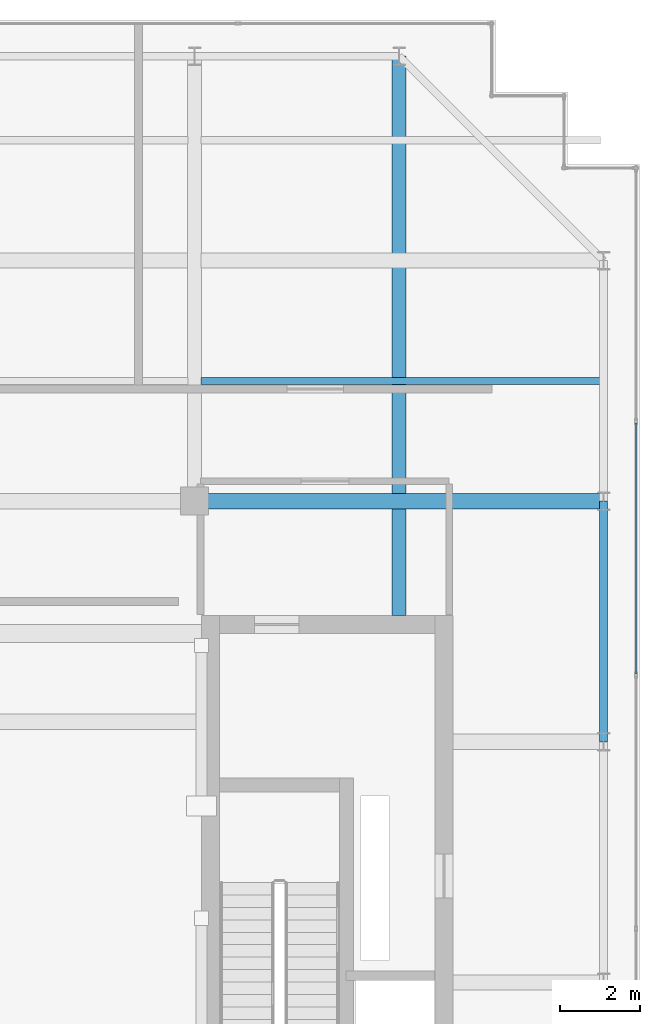
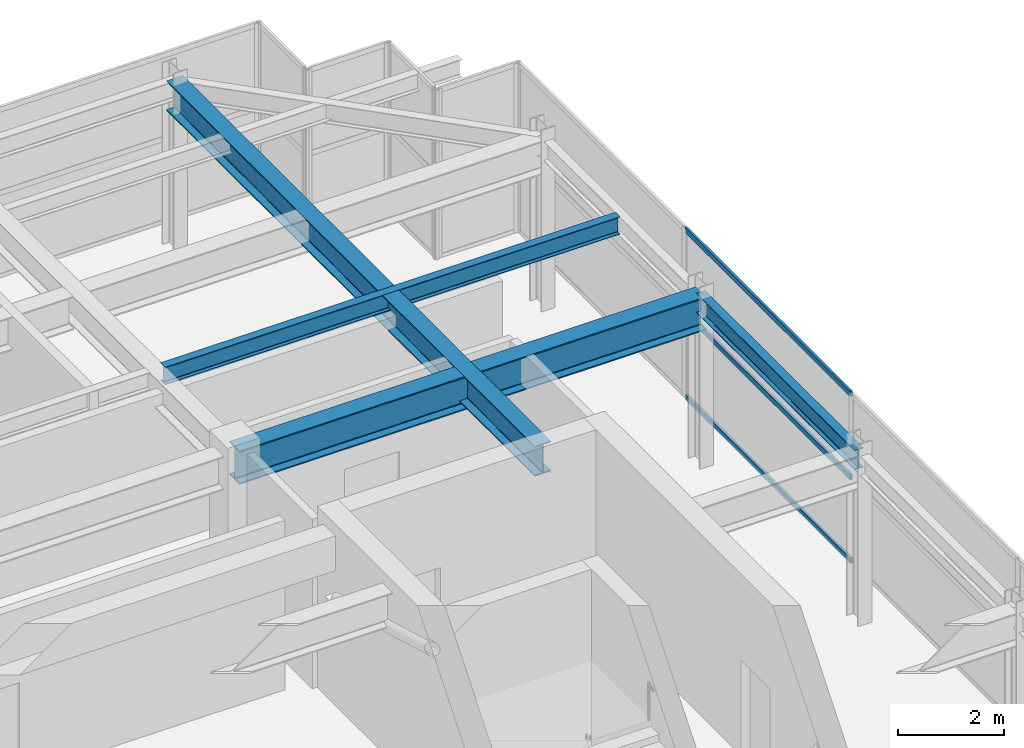
# One storey, part 18 of 32: 4 beams, 3 members, 1 element without a shape of its own.
"""IFC4 building model written with IfcOpenShell, lengths in metres."""

from ifc_helpers import new_model, si_unit, direction, frame, origin, origin_2d, place, context, subcontext, project, spatial, hollow_rectangle, i_section, extrude, source, transform, mapped, material, layer, layer_set, material_profile, profile_set, type_object, element, aggregate, save


model = new_model("IFC4")

# Units and contexts
model_context = context("Model", 3, precision=1e-05, world=origin(), true_north=direction((0.0, 1.0)))
body_context = subcontext(model_context, "Body", "Model", "MODEL_VIEW")
ifc_project = project(units=[si_unit("LENGTHUNIT", "METRE"), si_unit("AREAUNIT", "SQUARE_METRE"), si_unit("VOLUMEUNIT", "CUBIC_METRE"), si_unit("PLANEANGLEUNIT", "RADIAN"), si_unit("MASSUNIT", "GRAM", prefix="KILO")], contexts=[model_context])

# Site, building, storey
site_placement = place(None, origin())
site = spatial("IfcSite", under=ifc_project, at=site_placement, CompositionType="ELEMENT")
building_placement = place(site_placement, origin())
building = spatial("IfcBuilding", under=site, at=building_placement, Name="Khoralis Quay Care Tower", CompositionType="ELEMENT")
storey_placement = place(building_placement, frame((0.0, 0.0, 306.300048828125)))
storey = spatial("IfcBuildingStorey", under=building, at=storey_placement, Name="L80", CompositionType="ELEMENT", Elevation=306.300048828125)

# Beams
ifc_material_1 = material(Name="Steel S355", Category="steel")
ifc_material_profile_1 = material_profile(ifc_material_1, i_section(OverallWidth=0.18994140625, OverallDepth=0.449951171875, WebThickness=0.009521484375, FlangeThickness=0.0146484375, FilletRadius=0.02099609375, at=origin_2d()), Name="Steel S355")
ifc_profile_set_1 = profile_set([ifc_material_profile_1], Name="Steel S355")
beam_type_1 = type_object("IfcBeamType", Name="BM-IPE450", PredefinedType="SPANDREL", material=ifc_profile_set_1)
shared_shape_1 = source(origin(), body_context, "Body", "SweptSolid", [
    extrude(i_section(OverallWidth=0.18994140625, OverallDepth=0.449951171875, WebThickness=0.009521484375, FlangeThickness=0.0146484375, FilletRadius=0.02099609375, at=origin_2d()), origin(), (0.0, 0.0, 1.0), 6.0),
])
beam_1_placement = place(storey_placement, frame((41.10009765625, 24.0, 3.695068359375), z_axis=(0.0, 1.0, 0.0), x_axis=(-1.0, 0.0, 0.0)))
element("IfcBeam", 1, at=beam_1_placement, inside=storey, type_object=beam_type_1, Name="BM-TSP-L80-15", PredefinedType="SPANDREL", context=body_context, shape_type="MappedRepresentation", body=[
    mapped(shared_shape_1, transform((0.0, 0.0, 0.0), scale=1.0)),
])
ifc_material_profile_2 = material_profile(ifc_material_1, i_section(OverallWidth=0.381103515625, OverallDepth=0.77294921875, WebThickness=0.0166015625, FlangeThickness=0.027587890625, FilletRadius=0.02197265625, at=origin_2d()), Name="Steel S355")
ifc_profile_set_2 = profile_set([ifc_material_profile_2], Name="Steel S355")
beam_type_2 = type_object("IfcBeamType", Name="BM-W760X257", PredefinedType="BEAM", material=ifc_profile_set_2)
shared_shape_2 = source(origin(), body_context, "Body", "SweptSolid", [
    extrude(i_section(OverallWidth=0.381103515625, OverallDepth=0.77294921875, WebThickness=0.0166015625, FlangeThickness=0.027587890625, FilletRadius=0.02197265625, at=origin_2d()), origin(), (0.0, 0.0, 1.0), 10.2001953125),
])
beam_2_placement = place(storey_placement, frame((30.89990234375, 30.0, 3.533447265625), z_axis=(1.0, 0.0, 0.0), x_axis=(0.0, 1.0, 0.0)))
element("IfcBeam", 2, at=beam_2_placement, inside=storey, type_object=beam_type_2, Name="BM-TGXE-L80-300", PredefinedType="BEAM", context=body_context, shape_type="MappedRepresentation", body=[
    mapped(shared_shape_2, transform((0.0, 0.0, 0.0), scale=1.0)),
])
ifc_material_profile_3 = material_profile(ifc_material_1, i_section(OverallWidth=0.35498046875, OverallDepth=0.695068359375, WebThickness=0.015380859375, FlangeThickness=0.02490234375, FilletRadius=0.02001953125, at=origin_2d()), Name="Steel S355")
ifc_profile_set_3 = profile_set([ifc_material_profile_3], Name="Steel S355")
beam_type_3 = type_object("IfcBeamType", Name="BM-W690X217", PredefinedType="BEAM", material=ifc_profile_set_3)
shared_shape_3 = source(origin(), body_context, "Body", "SweptSolid", [
    extrude(i_section(OverallWidth=0.35498046875, OverallDepth=0.695068359375, WebThickness=0.015380859375, FlangeThickness=0.02490234375, FilletRadius=0.02001953125, at=origin_2d()), origin(), (0.0, 0.0, 1.0), 13.9521484375),
])
beam_3_placement = place(storey_placement, frame((36.0, 27.14794921875, 3.572509765625), z_axis=(0.0, 1.0, 0.0), x_axis=(-1.0, 0.0, 0.0)))
element("IfcBeam", 3, at=beam_3_placement, inside=storey, type_object=beam_type_3, Name="BM-TGYN-L80-360", PredefinedType="BEAM", context=body_context, shape_type="MappedRepresentation", body=[
    mapped(shared_shape_3, transform((0.0, 0.0, 0.0), scale=1.0)),
])
ifc_material_profile_4 = material_profile(ifc_material_1, i_section(OverallWidth=0.177978515625, OverallDepth=0.406982421875, WebThickness=0.0078125, FlangeThickness=0.0126953125, FilletRadius=0.012939453125, at=origin_2d()), Name="Steel S355")
ifc_profile_set_4 = profile_set([ifc_material_profile_4], Name="Steel S355")
beam_type_4 = type_object("IfcBeamType", Name="BM-W410X60", PredefinedType="JOIST", material=ifc_profile_set_4)
shared_shape_4 = source(origin(), body_context, "Body", "SweptSolid", [
    extrude(i_section(OverallWidth=0.177978515625, OverallDepth=0.406982421875, WebThickness=0.0078125, FlangeThickness=0.0126953125, FilletRadius=0.012939453125, at=origin_2d()), origin(), (0.0, 0.0, 1.0), 9.95361328125),
])
beam_4_placement = place(storey_placement, frame((31.0654296875, 33.0, 3.716552734375), z_axis=(1.0, 0.0, 0.0), x_axis=(0.0, 1.0, 0.0)))
element("IfcBeam", 4, at=beam_4_placement, inside=storey, type_object=beam_type_4, Name="BM-TJS-L80-25", PredefinedType="JOIST", context=body_context, shape_type="MappedRepresentation", body=[
    mapped(shared_shape_4, transform((0.0, 0.0, 0.0), scale=1.0)),
])

# Curtain wall, members
ifc_material_2 = material(Name="Pale anodised aluminium", Category="aluminium")
ifc_layer = layer(ifc_material_2, 0.199951171875)
ifc_layer_set = layer_set([ifc_layer], Name="Pale anodised aluminium")
curtain_wall_type = type_object("IfcCurtainWallType", Name="CW-SYS-LANTERN", PredefinedType="NOTDEFINED", material=ifc_layer_set)
curtain_wall_placement = place(storey_placement, origin())
curtain_wall = element("IfcCurtainWall", 5, at=curtain_wall_placement, inside=storey, type_object=curtain_wall_type, Name="L80 Unitised Curtain Wall CW-LN-L80-06", PredefinedType="NOTDEFINED")
ifc_material_profile_5 = material_profile(ifc_material_2, hollow_rectangle(XDim=0.054931640625, YDim=0.1201171875, WallThickness=0.00390625, at=origin_2d()), Name="Pale anodised aluminium")
ifc_profile_set_5 = profile_set([ifc_material_profile_5], Name="Pale anodised aluminium")
member_type = type_object("IfcMemberType", Name="CW-TRN-120", PredefinedType="USERDEFINED", material=ifc_profile_set_5)
shared_shape_5 = source(origin(), body_context, "Body", "SweptSolid", [
    extrude(hollow_rectangle(XDim=0.054931640625, YDim=0.1201171875, WallThickness=0.00390625, at=origin_2d()), origin(), (0.0, 0.0, 1.0), 6.26416015625),
])
member_1_placement = place(storey_placement, frame((41.909912109375, 25.69189453125, 0.030029296875), z_axis=(0.0, 1.0, 0.0), x_axis=(-1.0, 0.0, 0.0)))
member_1 = element("IfcMember", 6, at=member_1_placement, type_object=member_type, Name="CW5 transom 4.1", ObjectType="TRANSOM", PredefinedType="USERDEFINED", context=body_context, shape_type="MappedRepresentation", body=[
    mapped(shared_shape_5, transform((0.0, 0.0, 0.0), scale=1.0)),
])
member_2_placement = place(storey_placement, frame((41.909912109375, 25.69189453125, 1.9599609375), z_axis=(0.0, 1.0, 0.0), x_axis=(-1.0, 0.0, 0.0)))
member_2 = element("IfcMember", 7, at=member_2_placement, type_object=member_type, Name="CW5 transom 4.2", ObjectType="TRANSOM", PredefinedType="USERDEFINED", context=body_context, shape_type="MappedRepresentation", body=[
    mapped(shared_shape_5, transform((0.0, 0.0, 0.0), scale=1.0)),
])
member_3_placement = place(storey_placement, frame((41.909912109375, 25.69189453125, 3.889892578125), z_axis=(0.0, 1.0, 0.0), x_axis=(-1.0, 0.0, 0.0)))
member_3 = element("IfcMember", 8, at=member_3_placement, type_object=member_type, Name="CW5 transom 4.3", ObjectType="TRANSOM", PredefinedType="USERDEFINED", context=body_context, shape_type="MappedRepresentation", body=[
    mapped(shared_shape_5, transform((0.0, 0.0, 0.0), scale=1.0)),
])
aggregate(curtain_wall, [member_1, member_2, member_3])

save(model, "model.ifc")
